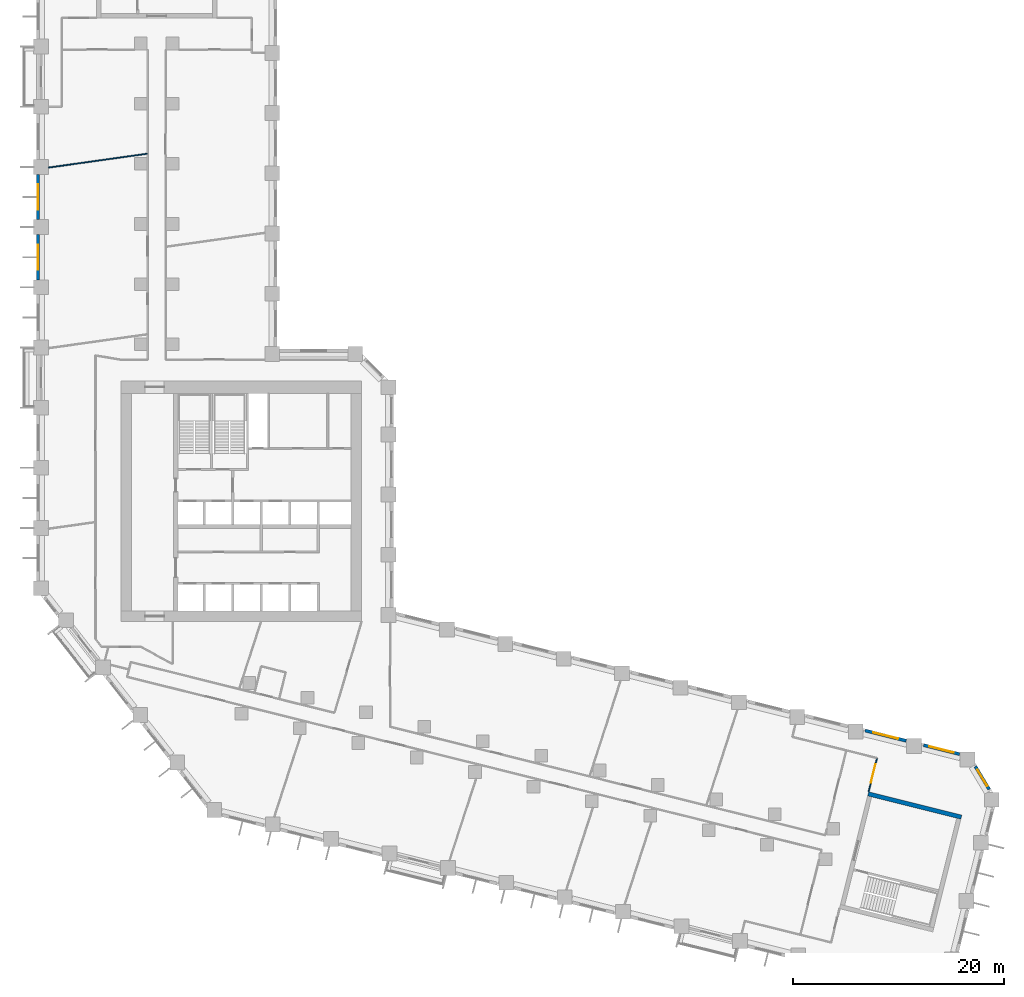
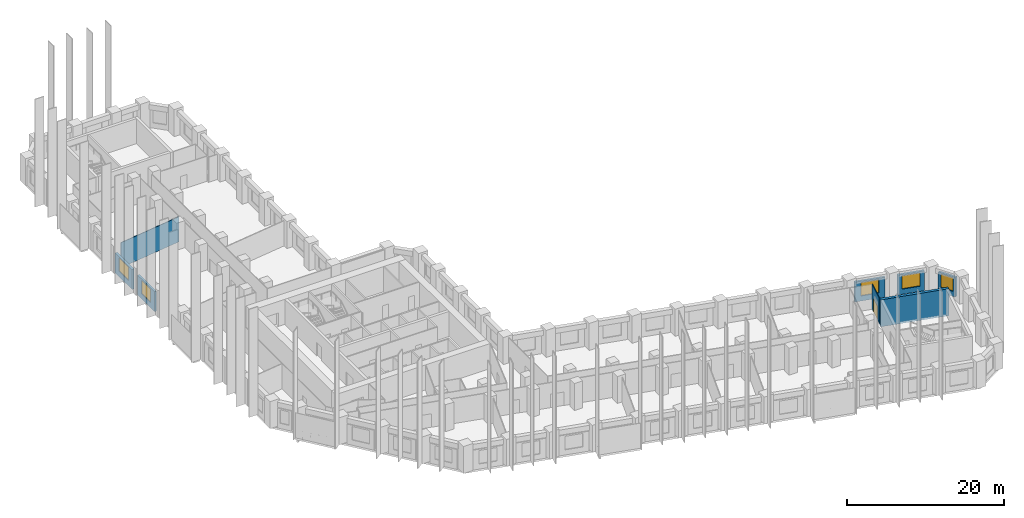
# One storey, part 8 of 12: 8 walls, 5 windows, 1 door, 6 openings.
"""IFC4 building model written with IfcOpenShell, lengths in metres."""

from ifc_helpers import new_model, si_unit, direction, frame, frame_2d, origin, place, context, subcontext, project, spatial, rectangle, extrude, material, layer, layer_set, type_object, element, fill, save


model = new_model("IFC4")

# Units and contexts
model_context = context("Model", 3, precision=1e-05, world=origin(), true_north=direction((0.0, 1.0)))
body_context = subcontext(model_context, "Body", "Model", "MODEL_VIEW")
ifc_project = project(units=[si_unit("LENGTHUNIT", "METRE"), si_unit("AREAUNIT", "SQUARE_METRE"), si_unit("VOLUMEUNIT", "CUBIC_METRE"), si_unit("PLANEANGLEUNIT", "RADIAN"), si_unit("MASSUNIT", "GRAM", prefix="KILO")], contexts=[model_context])

# Site, building, storey
site_placement = place(None, origin())
site = spatial("IfcSite", under=ifc_project, at=site_placement, CompositionType="ELEMENT")
building_placement = place(site_placement, origin())
building = spatial("IfcBuilding", under=site, at=building_placement, Name="Meshkara Civic Tower", CompositionType="ELEMENT")
storey_placement = place(building_placement, frame((0.0, 0.0, 66.60009765625)))
storey = spatial("IfcBuildingStorey", under=building, at=storey_placement, Name="L14", CompositionType="ELEMENT", Elevation=66.60009765625)

# Wall, opening, door
ifc_material_1 = material(Name="Corridor wall 100")
ifc_layer_1 = layer(ifc_material_1, 0.10009765625)
ifc_layer_set_1 = layer_set([ifc_layer_1], Name="Corridor wall 100")
wall_type_1 = type_object("IfcWallType", Name="Corridor wall 100", PredefinedType="PARTITIONING", material=ifc_layer_set_1)
wall_1_placement = place(storey_placement, frame((78.821044921875, -2.029052734375, 0.0), z_axis=(0.0, 0.0, 1.0), x_axis=(0.241769629392, 0.970333677816, 0.0)))
wall_1 = element("IfcWall", 1, at=wall_1_placement, inside=storey, type_object=wall_type_1, Name="L14-W030", PredefinedType="PARTITIONING", context=body_context, shape_type="SweptSolid", body=[
    extrude(rectangle(XDim=3.300048828125, YDim=0.10009765625, at=frame_2d((1.64990234375, 0.0))), origin(), (0.0, 0.0, 1.0), 3.89990234375),
])
opening_1_placement = place(wall_1_placement, frame((0.8798828125, 0.0, 0.0)))
opening_1 = element("IfcOpeningElement", 2, at=opening_1_placement, cuts=wall_1, Name="Opening L14-D008", PredefinedType="OPENING", context=body_context, shape_type="SweptSolid", body=[
    extrude(rectangle(XDim=1.800048828125, YDim=2.10009765625, at=frame_2d((0.89990234375, 1.050048828125))), frame((0.0, 0.06005859375, 0.0), z_axis=(0.0, -1.0, 0.0), x_axis=(1.0, 0.0, 0.0)), (0.0, 0.0, 1.0), 0.1201171875),
])
ifc_material_2 = material(Name="Door pair 1800 x 2100")
door_type = type_object("IfcDoorType", Name="Door pair 1800 x 2100", OperationType="SINGLE_SWING_LEFT", PredefinedType="DOOR", material=ifc_material_2)
door_placement = place(opening_1_placement, origin())
door = element("IfcDoor", 3, at=door_placement, inside=storey, type_object=door_type, Name="L14-D008", OperationType="DOUBLE_DOOR_SINGLE_SWING", OverallHeight=2.10009765625, OverallWidth=1.800048828125, PredefinedType="DOOR", context=body_context, shape_type="SweptSolid", body=[
    extrude(rectangle(XDim=1.800048828125, YDim=2.10009765625, at=frame_2d((0.89990234375, 1.050048828125))), frame((0.0, 0.02490234375, 0.0), z_axis=(0.0, -1.0, 0.0), x_axis=(1.0, 0.0, 0.0)), (0.0, 0.0, 1.0), 0.050048828125),
])
fill(opening_1, door)

# Wall, opening, window
ifc_material_3 = material(Name="Insulated infill panel with bronze anodised aluminium cladding", Category="aluminium")
ifc_layer_2 = layer(ifc_material_3, 0.300048828125)
ifc_layer_set_2 = layer_set([ifc_layer_2], Name="EXTERNAL INFILL WALL 300")
wall_type_2 = type_object("IfcWallType", Name="EXTERNAL INFILL WALL 300", PredefinedType="SOLIDWALL", material=ifc_layer_set_2)
wall_2_placement = place(storey_placement, frame((87.43505859375, 1.54296875, 0.0), z_axis=(0.0, 0.0, 1.0), x_axis=(-0.970289298425, 0.241947674843, 0.0)))
wall_2 = element("IfcWall", 4, at=wall_2_placement, inside=storey, type_object=wall_type_2, Name="External wall", PredefinedType="SOLIDWALL", context=body_context, shape_type="SweptSolid", body=[
    extrude(rectangle(XDim=3.517578125, YDim=0.300048828125, at=frame_2d((1.7587890625, 0.0))), origin(), (0.0, 0.0, 1.0), 3.099853515625),
])
opening_2_placement = place(wall_2_placement, frame((0.55908203125, 0.0, 0.800048828125)))
opening_2 = element("IfcOpeningElement", 5, at=opening_2_placement, cuts=wall_2, Name="Opening W7", PredefinedType="OPENING", context=body_context, shape_type="SweptSolid", body=[
    extrude(rectangle(XDim=2.39990234375, YDim=2.10009765625, at=frame_2d((1.199951171875, 1.050048828125))), frame((0.0, 0.159912109375, 0.0), z_axis=(0.0, -1.0, 0.0), x_axis=(1.0, 0.0, 0.0)), (0.0, 0.0, 1.0), 0.320068359375),
])
ifc_material_4 = material(Name="Tinted double glazing", Category="glass")
window_type_1 = type_object("IfcWindowType", Name="WINDOW 2400x2100", PartitioningType="DOUBLE_PANEL_VERTICAL", PredefinedType="WINDOW", material=ifc_material_4)
window_1_placement = place(opening_2_placement, origin())
window_1 = element("IfcWindow", 6, at=window_1_placement, inside=storey, type_object=window_type_1, Name="Window", OverallHeight=2.10009765625, OverallWidth=2.39990234375, PartitioningType="DOUBLE_PANEL_VERTICAL", PredefinedType="WINDOW", context=body_context, shape_type="SweptSolid", body=[
    extrude(rectangle(XDim=2.39990234375, YDim=2.10009765625, at=frame_2d((1.199951171875, 1.050048828125))), frame((0.0, 0.030029296875, 0.0), z_axis=(0.0, -1.0, 0.0), x_axis=(1.0, 0.0, 0.0)), (0.0, 0.0, 1.0), 0.06005859375),
])
fill(opening_2, window_1)

wall_3_placement = place(storey_placement, frame((82.375, 2.804931640625, 0.0), z_axis=(0.0, 0.0, 1.0), x_axis=(-0.970318045095, 0.24183236211, 0.0)))
wall_3 = element("IfcWall", 7, at=wall_3_placement, inside=storey, type_object=wall_type_2, Name="External wall", PredefinedType="SOLIDWALL", context=body_context, shape_type="SweptSolid", body=[
    extrude(rectangle(XDim=4.0029296875, YDim=0.300048828125, at=frame_2d((2.00146484375, 0.0))), origin(), (0.0, 0.0, 1.0), 3.099853515625),
])
opening_3_placement = place(wall_3_placement, frame((0.802001953125, 0.0, 0.800048828125)))
opening_3 = element("IfcOpeningElement", 8, at=opening_3_placement, cuts=wall_3, Name="Opening W7", PredefinedType="OPENING", context=body_context, shape_type="SweptSolid", body=[
    extrude(rectangle(XDim=2.39990234375, YDim=2.10009765625, at=frame_2d((1.199951171875, 1.050048828125))), frame((0.0, 0.159912109375, 0.0), z_axis=(0.0, -1.0, 0.0), x_axis=(1.0, 0.0, 0.0)), (0.0, 0.0, 1.0), 0.320068359375),
])
window_2_placement = place(opening_3_placement, origin())
window_2 = element("IfcWindow", 9, at=window_2_placement, inside=storey, type_object=window_type_1, Name="Window", OverallHeight=2.10009765625, OverallWidth=2.39990234375, PartitioningType="DOUBLE_PANEL_VERTICAL", PredefinedType="WINDOW", context=body_context, shape_type="SweptSolid", body=[
    extrude(rectangle(XDim=2.39990234375, YDim=2.10009765625, at=frame_2d((1.199951171875, 1.050048828125))), frame((0.0, 0.030029296875, 0.0), z_axis=(0.0, -1.0, 0.0), x_axis=(1.0, 0.0, 0.0)), (0.0, 0.0, 1.0), 0.06005859375),
])
fill(opening_3, window_2)

wall_4_placement = place(storey_placement, frame((0.14990234375, 56.455078125, 0.0), z_axis=(0.0, 0.0, 1.0), x_axis=(0.0, -1.0, 0.0)))
wall_4 = element("IfcWall", 10, at=wall_4_placement, inside=storey, type_object=wall_type_2, Name="External wall", PredefinedType="SOLIDWALL", context=body_context, shape_type="SweptSolid", body=[
    extrude(rectangle(XDim=4.300048828125, YDim=0.300048828125, at=frame_2d((2.14990234375, 0.0))), origin(), (0.0, 0.0, 1.0), 3.099853515625),
])
opening_4_placement = place(wall_4_placement, frame((0.949951171875, 0.0, 0.800048828125)))
opening_4 = element("IfcOpeningElement", 11, at=opening_4_placement, cuts=wall_4, Name="Opening W7", PredefinedType="OPENING", context=body_context, shape_type="SweptSolid", body=[
    extrude(rectangle(XDim=2.39990234375, YDim=2.10009765625, at=frame_2d((1.199951171875, 1.050048828125))), frame((0.0, 0.159912109375, 0.0), z_axis=(0.0, -1.0, 0.0), x_axis=(1.0, 0.0, 0.0)), (0.0, 0.0, 1.0), 0.320068359375),
])
window_3_placement = place(opening_4_placement, origin())
window_3 = element("IfcWindow", 12, at=window_3_placement, inside=storey, type_object=window_type_1, Name="Window", OverallHeight=2.10009765625, OverallWidth=2.39990234375, PartitioningType="DOUBLE_PANEL_VERTICAL", PredefinedType="WINDOW", context=body_context, shape_type="SweptSolid", body=[
    extrude(rectangle(XDim=2.39990234375, YDim=2.10009765625, at=frame_2d((1.199951171875, 1.050048828125))), frame((0.0, 0.030029296875, 0.0), z_axis=(0.0, -1.0, 0.0), x_axis=(1.0, 0.0, 0.0)), (0.0, 0.0, 1.0), 0.06005859375),
])
fill(opening_4, window_3)

wall_5_placement = place(storey_placement, frame((0.14990234375, 50.7548828125, 0.0), z_axis=(0.0, 0.0, 1.0), x_axis=(0.0, -1.0, 0.0)))
wall_5 = element("IfcWall", 13, at=wall_5_placement, inside=storey, type_object=wall_type_2, Name="External wall", PredefinedType="SOLIDWALL", context=body_context, shape_type="SweptSolid", body=[
    extrude(rectangle(XDim=4.2998046875, YDim=0.300048828125, at=frame_2d((2.14990234375, 0.0))), origin(), (0.0, 0.0, 1.0), 3.099853515625),
])
opening_5_placement = place(wall_5_placement, frame((0.949951171875, 0.0, 0.800048828125)))
opening_5 = element("IfcOpeningElement", 14, at=opening_5_placement, cuts=wall_5, Name="Opening W7", PredefinedType="OPENING", context=body_context, shape_type="SweptSolid", body=[
    extrude(rectangle(XDim=2.39990234375, YDim=2.10009765625, at=frame_2d((1.199951171875, 1.050048828125))), frame((0.0, 0.159912109375, 0.0), z_axis=(0.0, -1.0, 0.0), x_axis=(1.0, 0.0, 0.0)), (0.0, 0.0, 1.0), 0.320068359375),
])
window_4_placement = place(opening_5_placement, origin())
window_4 = element("IfcWindow", 15, at=window_4_placement, inside=storey, type_object=window_type_1, Name="Window", OverallHeight=2.10009765625, OverallWidth=2.39990234375, PartitioningType="DOUBLE_PANEL_VERTICAL", PredefinedType="WINDOW", context=body_context, shape_type="SweptSolid", body=[
    extrude(rectangle(XDim=2.39990234375, YDim=2.10009765625, at=frame_2d((1.199951171875, 1.050048828125))), frame((0.0, 0.030029296875, 0.0), z_axis=(0.0, -1.0, 0.0), x_axis=(1.0, 0.0, 0.0)), (0.0, 0.0, 1.0), 0.06005859375),
])
fill(opening_5, window_4)

wall_6_placement = place(storey_placement, frame((90.248046875, -1.801025390625, 0.0), z_axis=(0.0, 0.0, 1.0), x_axis=(-0.515441886055, 0.856924536992, 0.0)))
wall_6 = element("IfcWall", 16, at=wall_6_placement, inside=storey, type_object=wall_type_2, Name="External wall", PredefinedType="SOLIDWALL", context=body_context, shape_type="SweptSolid", body=[
    extrude(rectangle(XDim=2.54150390625, YDim=0.300048828125, at=frame_2d((1.270751953125, 0.0))), origin(), (0.0, 0.0, 1.0), 3.099853515625),
])
opening_6_placement = place(wall_6_placement, frame((0.37109375, 0.0, 0.800048828125)))
opening_6 = element("IfcOpeningElement", 17, at=opening_6_placement, cuts=wall_6, Name="Opening W9", PredefinedType="OPENING", context=body_context, shape_type="SweptSolid", body=[
    extrude(rectangle(XDim=1.800048828125, YDim=2.10009765625, at=frame_2d((0.89990234375, 1.050048828125))), frame((0.0, 0.159912109375, 0.0), z_axis=(0.0, -1.0, 0.0), x_axis=(1.0, 0.0, 0.0)), (0.0, 0.0, 1.0), 0.320068359375),
])
ifc_material_5 = material(Name="Tinted double glazing", Category="glass")
window_type_2 = type_object("IfcWindowType", Name="WINDOW 1800x2100", PartitioningType="DOUBLE_PANEL_VERTICAL", PredefinedType="WINDOW", material=ifc_material_5)
window_5_placement = place(opening_6_placement, origin())
window_5 = element("IfcWindow", 18, at=window_5_placement, inside=storey, type_object=window_type_2, Name="Window", OverallHeight=2.10009765625, OverallWidth=1.800048828125, PartitioningType="DOUBLE_PANEL_VERTICAL", PredefinedType="WINDOW", context=body_context, shape_type="SweptSolid", body=[
    extrude(rectangle(XDim=1.800048828125, YDim=2.10009765625, at=frame_2d((0.89990234375, 1.050048828125))), frame((0.0, 0.030029296875, 0.0), z_axis=(0.0, -1.0, 0.0), x_axis=(1.0, 0.0, 0.0)), (0.0, 0.0, 1.0), 0.06005859375),
])
fill(opening_6, window_5)

# Walls
ifc_material_6 = material(Name="Concrete C80", Category="concrete")
ifc_layer_3 = layer(ifc_material_6, 0.39990234375)
ifc_layer_set_3 = layer_set([ifc_layer_3], Name="End core ring wall 400 C80")
wall_type_3 = type_object("IfcWallType", Name="End core ring wall 400 C80", PredefinedType="SHEAR", material=ifc_layer_set_3)
wall_7_placement = place(storey_placement, frame((78.77197265625, -2.222900390625, -0.300048828125), z_axis=(0.0, 0.0, 1.0), x_axis=(0.970306400786, -0.241879078453, 0.0)))
element("IfcWall", 19, at=wall_7_placement, inside=storey, type_object=wall_type_3, Name="L14-C032", PredefinedType="SHEAR", context=body_context, shape_type="SweptSolid", body=[
    extrude(rectangle(XDim=9.100341796875, YDim=0.39990234375, at=frame_2d((4.55029296875, 0.0))), origin(), (0.0, 0.0, 1.0), 4.199951171875),
])
ifc_material_7 = material(Name="Partition 100")
ifc_layer_4 = layer(ifc_material_7, 0.10009765625)
ifc_layer_set_4 = layer_set([ifc_layer_4], Name="Partition 100")
wall_type_4 = type_object("IfcWallType", Name="Partition 100", PredefinedType="PARTITIONING", material=ifc_layer_set_4)
wall_8_placement = place(storey_placement, frame((10.492919921875, 58.405029296875, 0.0), z_axis=(0.0, 0.0, 1.0), x_axis=(-0.990255073415, -0.139265536207, 0.0)))
element("IfcWall", 20, at=wall_8_placement, inside=storey, type_object=wall_type_4, Name="L14-W038", PredefinedType="PARTITIONING", context=body_context, shape_type="SweptSolid", body=[
    extrude(rectangle(XDim=9.43505859375, YDim=0.10009765625, at=frame_2d((4.717529296875, 0.0))), origin(), (0.0, 0.0, 1.0), 3.89990234375),
])

save(model, "model.ifc")
